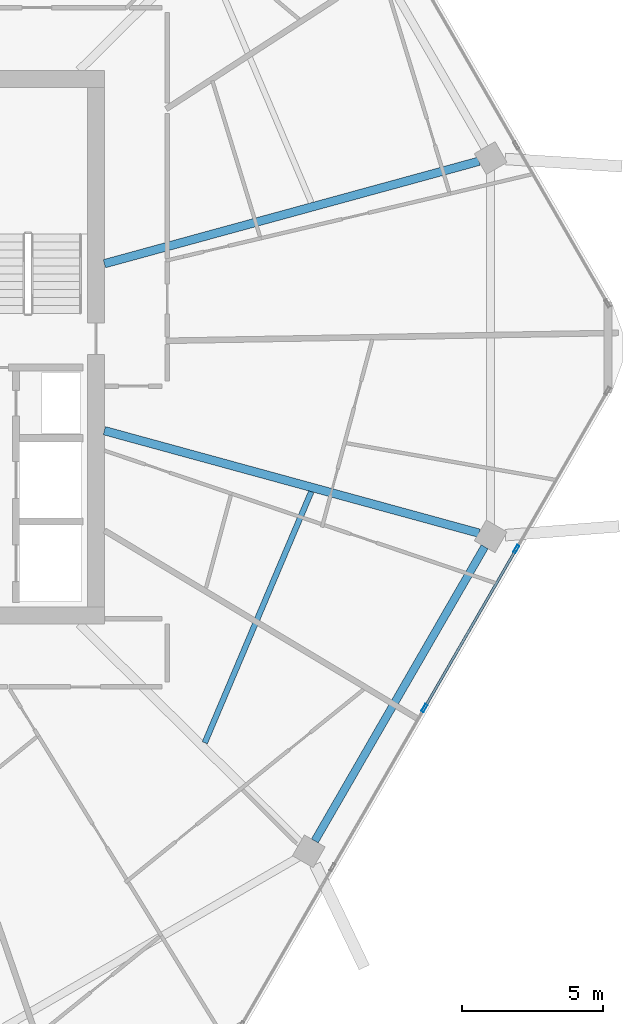
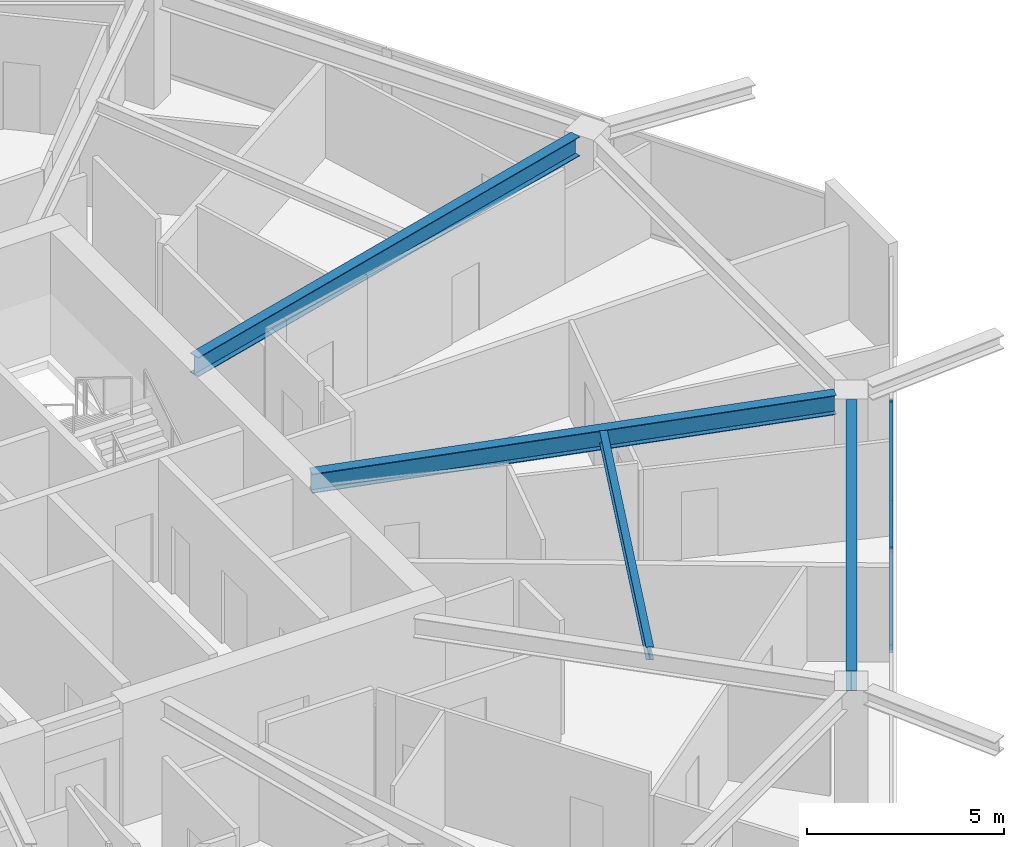
# One storey, part 9 of 26: 4 beams, 4 members, 1 element without a shape of its own.
"""IFC4 building model written with IfcOpenShell, lengths in metres."""

import ifcopenshell
import ifcopenshell.guid

model = None  # the IFC model being written
_history = None  # IfcOwnerHistory: only IFC2X3 demands one
_inside = {}  # id of a spatial element -> (the spatial element, [elements in it])
_under = {}  # id of a project, library or spatial element -> (it, [spatial elements below it])
_declared = {}  # id of a project -> (the project, [libraries it declares])
_typed = {}  # id of a type object -> (the type object, [elements of that type])
_made_of = {}  # id of a material, layer set ... -> (it, [elements and type objects made of it])


def new_model(schema):
    """Start an empty IFC model of exactly this schema.

    Asked for "IFC4X3", IfcOpenShell would pick the latest addendum, in which some entities
    have other attributes; the version numbers below select the first issue.
    IFC2X3 requires an IfcOwnerHistory on every rooted entity: one is made here for all.
    """
    global model, _history
    if schema == "IFC4X3":
        model = ifcopenshell.file(schema_version=(4, 3, 0, 0))
    else:
        model = ifcopenshell.file(schema=schema)
    _inside.clear()
    _under.clear()
    _declared.clear()
    _typed.clear()
    _made_of.clear()
    _history = None
    if model.schema == "IFC2X3":
        org = make("IfcOrganization", Name="unknown")
        user = make(
            "IfcPersonAndOrganization",
            ThePerson=make("IfcPerson", FamilyName="unknown"),
            TheOrganization=org,
        )
        app = make(
            "IfcApplication",
            ApplicationDeveloper=org,
            Version="unknown",
            ApplicationFullName="unknown",
            ApplicationIdentifier="unknown",
        )
        _history = make(
            "IfcOwnerHistory",
            OwningUser=user,
            OwningApplication=app,
            ChangeAction="ADDED",
            CreationDate=0,
        )
    return model


def make(cls, **values):
    """One entity of the class cls with the attributes given. An attribute that is None is left unset."""
    return model.create_entity(
        cls, **{name: value for name, value in values.items() if value is not None}
    )


def rooted(cls, **values):
    """An entity with a GlobalId (a new one), such as an element, a storey or a relation."""
    return make(cls, GlobalId=ifcopenshell.guid.new(), OwnerHistory=_history, **values)


def si_unit(unit_type, name, prefix=None):
    """IfcSIUnit, for example si_unit("LENGTHUNIT", "METRE", prefix="MILLI")."""
    return make("IfcSIUnit", UnitType=unit_type, Prefix=prefix, Name=name)


def assignment(units):
    """IfcUnitAssignment: the units of a project."""
    return None if units is None else make("IfcUnitAssignment", Units=units)


def point(xyz):
    """IfcCartesianPoint."""
    return None if xyz is None else make("IfcCartesianPoint", Coordinates=xyz)


def direction(xyz):
    """IfcDirection."""
    return None if xyz is None else make("IfcDirection", DirectionRatios=xyz)


def frame(location, z_axis=None, x_axis=None):
    """IfcAxis2Placement3D, a coordinate frame: its origin and axes. An axis left out is left unset."""
    return make(
        "IfcAxis2Placement3D",
        Location=point(location),
        Axis=direction(z_axis),
        RefDirection=direction(x_axis),
    )


def frame_2d(location, x_axis=None):
    """IfcAxis2Placement2D, a coordinate frame in the plane: its origin and x axis."""
    return make(
        "IfcAxis2Placement2D", Location=point(location), RefDirection=direction(x_axis)
    )


def origin():
    """The frame at (0, 0, 0) with its axes left unset."""
    return frame((0.0, 0.0, 0.0))


def origin_2d():
    """The frame at (0, 0) in the plane with its x axis left unset."""
    return frame_2d((0.0, 0.0))


def place(relative_to, where):
    """IfcLocalPlacement: puts the frame where relative to a parent placement (None: the world)."""
    return make(
        "IfcLocalPlacement", PlacementRelTo=relative_to, RelativePlacement=where
    )


def context(
    kind, dimensions, precision=None, world=None, true_north=None, identifier=None
):
    """IfcGeometricRepresentationContext, for example the 3D "Model" context."""
    return make(
        "IfcGeometricRepresentationContext",
        ContextIdentifier=identifier,
        ContextType=kind,
        CoordinateSpaceDimension=dimensions,
        Precision=precision,
        WorldCoordinateSystem=world,
        TrueNorth=true_north,
    )


def subcontext(parent, identifier, kind, view, scale=None):
    """IfcGeometricRepresentationSubContext, for example "Body" below "Model"."""
    return make(
        "IfcGeometricRepresentationSubContext",
        ContextIdentifier=identifier,
        ContextType=kind,
        ParentContext=parent,
        TargetScale=scale,
        TargetView=view,
    )


def project(units=None, contexts=None):
    """IfcProject with its units and contexts."""
    return rooted(
        "IfcProject",
        Name="project",
        RepresentationContexts=contexts,
        UnitsInContext=assignment(units),
    )


def spatial(cls, under=None, at=None, **own):
    """A site, building, storey or space (cls), placed at a placement, below another one or the project."""
    s = rooted(cls, ObjectPlacement=at, **own)
    if under is not None:
        _under.setdefault(under.id(), (under, []))[1].append(s)
    return s


def profile(cls, at=None, kind="AREA", **sizes):
    """A parametric profile (cls). Its sizes go by their IFC names, for example OverallWidth=200.0."""
    return make(cls, ProfileType=kind, Position=at, **sizes)


def hollow_rectangle(**sizes):
    """IfcRectangleHollowProfileDef."""
    return profile("IfcRectangleHollowProfileDef", **sizes)


def i_section(**sizes):
    """IfcIShapeProfileDef."""
    return profile("IfcIShapeProfileDef", **sizes)


def extrude(swept, where, along, depth):
    """IfcExtrudedAreaSolid: the profile swept, set in the frame where, extruded along a direction by depth."""
    return make(
        "IfcExtrudedAreaSolid",
        SweptArea=swept,
        Position=where,
        ExtrudedDirection=direction(along),
        Depth=depth,
    )


def shape(context_of_items, identifier, shape_type, items):
    """IfcShapeRepresentation: the items that make up one representation, for example the "Body"."""
    return make(
        "IfcShapeRepresentation",
        ContextOfItems=context_of_items,
        RepresentationIdentifier=identifier,
        RepresentationType=shape_type,
        Items=items,
    )


def material(Name=None, Category=None):
    """IfcMaterial."""
    return make("IfcMaterial", Name=Name, Category=Category)


def material_profile(
    of_material, cross_section, Name=None, Category=None, Priority=None
):
    """IfcMaterialProfile: a cross section and its material."""
    return make(
        "IfcMaterialProfile",
        Name=Name,
        Material=of_material,
        Profile=cross_section,
        Priority=Priority,
        Category=Category,
    )


def profile_set(profiles, Name=None, composite=None):
    """IfcMaterialProfileSet."""
    return make(
        "IfcMaterialProfileSet",
        Name=Name,
        MaterialProfiles=profiles,
        CompositeProfile=composite,
    )


def made_of(thing, what):
    """Note that an element or type object is made of a material, layer set ...; save() writes the relation."""
    if what is not None:
        _made_of.setdefault(what.id(), (what, []))[1].append(thing)
    return thing


def type_object(cls, material=None, **own):
    """A type object (cls), such as IfcWallType, which elements share."""
    return made_of(rooted(cls, **own), material)


def element(
    cls,
    number,
    at=None,
    inside=None,
    cuts=None,
    type_object=None,
    material=None,
    context=None,
    identifier="Body",
    shape_type=None,
    held_by="IfcProductDefinitionShape",
    body=None,
    shapes=None,
    **own,
):
    """One element of the class cls, such as IfcWall. Its Tag is "e" and its number.

    at: its placement. inside: the storey or other place that contains it. cuts: it is an
    opening in that element (IfcRelVoidsElement). A single representation is given by context,
    identifier, shape_type and body (its items); several are given by shapes. held_by: the class
    of the entity that holds the representations. save() writes the other relations.
    """
    e = rooted(cls, Tag="e%d" % number, ObjectPlacement=at, **own)
    if body is not None:
        shapes = [shape(context, identifier, shape_type, body)]
    if shapes is not None:
        e.Representation = make(held_by, Representations=shapes)
    if inside is not None:
        _inside.setdefault(inside.id(), (inside, []))[1].append(e)
    if cuts is not None:
        rooted(
            "IfcRelVoidsElement", RelatingBuildingElement=cuts, RelatedOpeningElement=e
        )
    if type_object is not None:
        _typed.setdefault(type_object.id(), (type_object, []))[1].append(e)
    return made_of(e, material)


def aggregate(whole, parts):
    """IfcRelAggregates: a whole, such as a stair, and the parts it consists of."""
    return rooted("IfcRelAggregates", RelatingObject=whole, RelatedObjects=parts)


def save(model, path):
    """Write the relations noted so far, then the file.

    IfcRelAggregates (storeys below a building ...), IfcRelContainedInSpatialStructure (elements
    in a storey), IfcRelDefinesByType, IfcRelAssociatesMaterial and IfcRelDeclares: one each for
    every whole, place, type object, material and project.
    """
    for whole, parts in _under.values():
        aggregate(whole, parts)
    for where, things in _inside.values():
        rooted(
            "IfcRelContainedInSpatialStructure",
            RelatedElements=things,
            RelatingStructure=where,
        )
    for kind, things in _typed.values():
        rooted("IfcRelDefinesByType", RelatedObjects=things, RelatingType=kind)
    for what, things in _made_of.values():
        rooted("IfcRelAssociatesMaterial", RelatedObjects=things, RelatingMaterial=what)
    for by, libraries in _declared.values():
        rooted("IfcRelDeclares", RelatingContext=by, RelatedDefinitions=libraries)
    model.write(path)


model = new_model("IFC4")

# Units and contexts
model_context = context("Model", 3, precision=1e-05, world=origin(), true_north=direction((0.0, 1.0)))
body_context = subcontext(model_context, "Body", "Model", "MODEL_VIEW")
ifc_project = project(units=[si_unit("LENGTHUNIT", "METRE"), si_unit("AREAUNIT", "SQUARE_METRE"), si_unit("VOLUMEUNIT", "CUBIC_METRE"), si_unit("PLANEANGLEUNIT", "RADIAN"), si_unit("MASSUNIT", "GRAM", prefix="KILO")], contexts=[model_context])

# Site, building, storey
site_placement = place(None, origin())
site = spatial("IfcSite", under=ifc_project, at=site_placement, CompositionType="ELEMENT")
building_placement = place(site_placement, origin())
building = spatial("IfcBuilding", under=site, at=building_placement, Name="Zuhravey Tower", CompositionType="ELEMENT")
storey_placement = place(building_placement, frame((0.0, 0.0, 288.199951171875)))
storey = spatial("IfcBuildingStorey", under=building, at=storey_placement, Name="L73", CompositionType="ELEMENT", Elevation=288.199951171875)

# Curtain wall, members
ifc_material_1 = material(Name="Thermally broken anodised aluminium", Category="aluminium")
curtain_wall_type = type_object("IfcCurtainWallType", Name="Zone 3-4 High-Rise Curtain Wall CW4", PredefinedType="NOTDEFINED", material=ifc_material_1)
curtain_wall_placement = place(storey_placement, origin())
curtain_wall = element("IfcCurtainWall", 1, at=curtain_wall_placement, inside=storey, type_object=curtain_wall_type, Name="L73 CW4 CW-L73-F6-1", PredefinedType="NOTDEFINED")
ifc_material_2 = material(Name="Anodised aluminium", Category="aluminium")
ifc_material_profile_1 = material_profile(ifc_material_2, hollow_rectangle(XDim=0.090087890625, YDim=0.284912109375, WallThickness=0.0048828125, at=origin_2d()), Name="ALU-RHS-90x285x5")
ifc_profile_set_1 = profile_set([ifc_material_profile_1], Name="Anodised aluminium")
member_type_1 = type_object("IfcMemberType", Name="Curtain-Wall Mullion 90x180", PredefinedType="MULLION", material=ifc_profile_set_1)
member_1_placement = place(storey_placement, frame((61.391845703125, 24.852783203125, 0.0), z_axis=(0.0, 0.0, 1.0), x_axis=(0.866024851021, -0.500000957414, 0.0)))
member_1 = element("IfcMember", 2, at=member_1_placement, type_object=member_type_1, Name="CW4 mullion 2", PredefinedType="MULLION", context=body_context, shape_type="SweptSolid", body=[
    extrude(hollow_rectangle(XDim=0.090087890625, YDim=0.284912109375, WallThickness=0.0048828125, at=origin_2d()), origin(), (0.0, 0.0, 1.0), 3.1220703125),
])
member_2_placement = place(storey_placement, frame((58.138671875, 19.21826171875, 0.0), z_axis=(0.0, 0.0, 1.0), x_axis=(0.866024851021, -0.500000957414, 0.0)))
member_2 = element("IfcMember", 3, at=member_2_placement, type_object=member_type_1, Name="CW4 mullion 3", PredefinedType="MULLION", context=body_context, shape_type="SweptSolid", body=[
    extrude(hollow_rectangle(XDim=0.090087890625, YDim=0.284912109375, WallThickness=0.0048828125, at=origin_2d()), origin(), (0.0, 0.0, 1.0), 3.1220703125),
])
ifc_material_profile_2 = material_profile(ifc_material_2, hollow_rectangle(XDim=0.090087890625, YDim=0.14990234375, WallThickness=0.0048828125, at=origin_2d()), Name="ALU-RHS-90x150x5")
ifc_profile_set_2 = profile_set([ifc_material_profile_2], Name="Anodised aluminium")
member_type_2 = type_object("IfcMemberType", Name="Curtain-Wall Transom 90x150", PredefinedType="USERDEFINED", material=ifc_profile_set_2)
member_3_placement = place(storey_placement, frame((61.369384765625, 24.81396484375, 0.045166015625), z_axis=(-0.499998017366, -0.866026548456, 0.0), x_axis=(0.866026548456, -0.499998017366, 0.0)))
member_3 = element("IfcMember", 4, at=member_3_placement, type_object=member_type_2, Name="CW4 transom 2.1", ObjectType="TRANSOM", PredefinedType="USERDEFINED", context=body_context, shape_type="SweptSolid", body=[
    extrude(hollow_rectangle(XDim=0.090087890625, YDim=0.14990234375, WallThickness=0.0048828125, at=origin_2d()), origin(), (0.0, 0.0, 1.0), 6.41650390625),
])
member_4_placement = place(storey_placement, frame((61.369384765625, 24.81396484375, 3.0771484375), z_axis=(-0.499998017366, -0.866026548456, 0.0), x_axis=(0.866026548456, -0.499998017366, 0.0)))
member_4 = element("IfcMember", 5, at=member_4_placement, type_object=member_type_2, Name="CW4 transom 2.2", ObjectType="TRANSOM", PredefinedType="USERDEFINED", context=body_context, shape_type="SweptSolid", body=[
    extrude(hollow_rectangle(XDim=0.090087890625, YDim=0.14990234375, WallThickness=0.0048828125, at=origin_2d()), origin(), (0.0, 0.0, 1.0), 6.41650390625),
])
aggregate(curtain_wall, [member_1, member_2, member_3, member_4])

# Beams
ifc_material_3 = material(Name="Steel SM355", Category="steel")
ifc_material_profile_3 = material_profile(ifc_material_3, i_section(OverallWidth=0.280029296875, OverallDepth=0.6201171875, WebThickness=0.011962890625, FlangeThickness=0.02001953125, at=origin_2d()), Name="H-620x280x12x20")
ifc_profile_set_3 = profile_set([ifc_material_profile_3], Name="Steel SM355")
beam_type_1 = type_object("IfcBeamType", Name="Perimeter Ring Beam H620x280", PredefinedType="BEAM", material=ifc_profile_set_3)
beam_1_placement = place(storey_placement, frame((54.257568359375, 14.515869140625, 3.239990234375), z_axis=(0.500005971936, 0.866021955858, 0.0), x_axis=(-0.866021955858, 0.500005971936, 0.0)))
element("IfcBeam", 6, at=beam_1_placement, inside=storey, type_object=beam_type_1, Name="L73 PB3 BM-L73-PB-11", PredefinedType="BEAM", context=body_context, shape_type="SweptSolid", body=[
    extrude(i_section(OverallWidth=0.280029296875, OverallDepth=0.6201171875, WebThickness=0.011962890625, FlangeThickness=0.02001953125, at=origin_2d()), origin(), (0.0, 0.0, 1.0), 12.025634765625),
])
ifc_material_profile_4 = material_profile(ifc_material_3, i_section(OverallWidth=0.300048828125, OverallDepth=0.60009765625, WebThickness=0.011962890625, FlangeThickness=0.02001953125, at=origin_2d()), Name="H-600x300x12x20")
ifc_profile_set_4 = profile_set([ifc_material_profile_4], Name="Steel SM355")
beam_type_2 = type_object("IfcBeamType", Name="Radial Primary Girder H600x300", PredefinedType="BEAM", material=ifc_profile_set_4)
for number, where, z_axis, x_axis, name in (
    (7, (46.802978515625, 34.95556640625, 3.25), (0.964549305009, 0.263902705947, 0.0), (-0.263902705947, 0.964549305009, 0.0), "L73 RG3 BM-L73-RAD-01"),
    (8, (46.802978515625, 29.04443359375, 3.25), (0.964549305009, -0.263902705947, 0.0), (0.263902705947, 0.964549305009, 0.0), "L73 RG3 BM-L73-RAD-12"),
):
    element("IfcBeam", number, at=place(storey_placement, frame(where, z_axis=z_axis, x_axis=x_axis)), inside=storey, type_object=beam_type_2, Name=name, PredefinedType="BEAM", context=body_context, shape_type="SweptSolid", body=[
        extrude(i_section(OverallWidth=0.300048828125, OverallDepth=0.60009765625, WebThickness=0.011962890625, FlangeThickness=0.02001953125, at=origin_2d()), origin(), (0.0, 0.0, 1.0), 13.756591796875),
    ])
ifc_material_profile_5 = material_profile(ifc_material_3, i_section(OverallWidth=0.199951171875, OverallDepth=0.39990234375, WebThickness=0.008056640625, FlangeThickness=0.012939453125, at=origin_2d()), Name="H-400x200x8x13")
ifc_profile_set_5 = profile_set([ifc_material_profile_5], Name="Steel SM355")
beam_type_3 = type_object("IfcBeamType", Name="Secondary Floor Joist H400x200", PredefinedType="JOIST", material=ifc_profile_set_5)
beam_2_placement = place(storey_placement, frame((50.36083984375, 17.990966796875, 3.35009765625), z_axis=(0.390413493754, 0.920639616731, 0.0), x_axis=(-0.920639616731, 0.390413493754, 0.0)))
element("IfcBeam", 9, at=beam_2_placement, inside=storey, type_object=beam_type_3, Name="L73 SJ2 BM-L73-SJ-11-1", PredefinedType="JOIST", context=body_context, shape_type="SweptSolid", body=[
    extrude(i_section(OverallWidth=0.199951171875, OverallDepth=0.39990234375, WebThickness=0.008056640625, FlangeThickness=0.012939453125, at=origin_2d()), origin(), (0.0, 0.0, 1.0), 9.656494140625),
])

save(model, "model.ifc")
